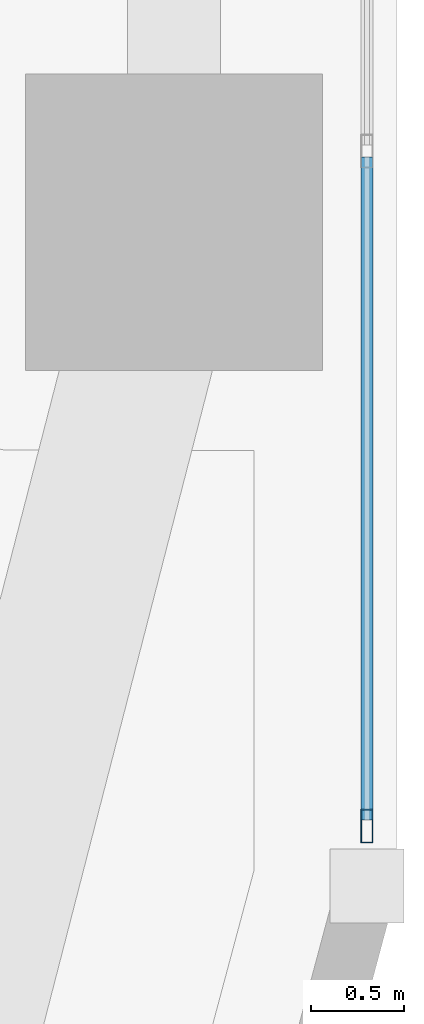
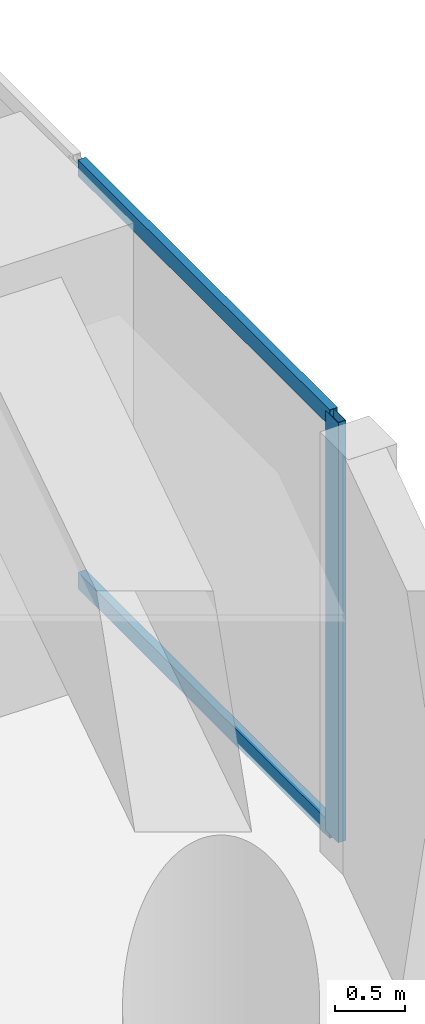
# One storey, part 4 of 29: 3 members, 1 element without a shape of its own.
"""IFC4 building model written with IfcOpenShell, lengths in metres."""

from ifc_helpers import new_model, si_unit, direction, frame, origin, origin_2d, place, context, subcontext, project, spatial, hollow_rectangle, extrude, material, layer, layer_set, material_profile, profile_set, type_object, element, aggregate, save


model = new_model("IFC4")

# Units and contexts
model_context = context("Model", 3, precision=1e-05, world=origin(), true_north=direction((0.0, 1.0)))
body_context = subcontext(model_context, "Body", "Model", "MODEL_VIEW")
ifc_project = project(units=[si_unit("LENGTHUNIT", "METRE"), si_unit("AREAUNIT", "SQUARE_METRE"), si_unit("VOLUMEUNIT", "CUBIC_METRE"), si_unit("PLANEANGLEUNIT", "RADIAN"), si_unit("MASSUNIT", "GRAM", prefix="KILO")], contexts=[model_context])

# Site, building, storey
site_placement = place(None, origin())
site = spatial("IfcSite", under=ifc_project, at=site_placement, CompositionType="ELEMENT")
building_placement = place(site_placement, origin())
building = spatial("IfcBuilding", under=site, at=building_placement, Name="Kiyonajd Concourse Tower", CompositionType="ELEMENT")
storey_placement = place(building_placement, frame((0.0, 0.0, 45.0)))
storey = spatial("IfcBuildingStorey", under=building, at=storey_placement, Name="L12", CompositionType="ELEMENT", Elevation=45.0)

# Curtain wall, members
ifc_material = material(Name="Thermally Broken Anodised Aluminium", Category="aluminium")
ifc_layer = layer(ifc_material, 0.179931640625)
ifc_layer_set = layer_set([ifc_layer], Name="Thermally Broken Anodised Aluminium")
curtain_wall_type = type_object("IfcCurtainWallType", Name="CW-SYS-02", PredefinedType="NOTDEFINED", material=ifc_layer_set)
curtain_wall_placement = place(storey_placement, origin())
curtain_wall = element("IfcCurtainWall", 1, at=curtain_wall_placement, inside=storey, type_object=curtain_wall_type, Name="L12 Unitised Curtain Wall CW2", PredefinedType="NOTDEFINED")
ifc_material_profile_1 = material_profile(ifc_material, hollow_rectangle(XDim=0.06494140625, YDim=0.179931640625, WallThickness=0.00390625, at=origin_2d()), Name="MULL-65x180")
ifc_profile_set_1 = profile_set([ifc_material_profile_1], Name="Thermally Broken Anodised Aluminium")
member_type_1 = type_object("IfcMemberType", Name="MB-CW-MULL1", PredefinedType="MULLION", material=ifc_profile_set_1)
member_1_placement = place(storey_placement, frame((79.0400390625, 15.343505859375, 0.0), z_axis=(0.0, 0.0, 1.0), x_axis=(1.0, 0.0, 0.0)))
member_1 = element("IfcMember", 2, at=member_1_placement, type_object=member_type_1, Name="CW2 mullion 7", PredefinedType="MULLION", context=body_context, shape_type="SweptSolid", body=[
    extrude(hollow_rectangle(XDim=0.06494140625, YDim=0.179931640625, WallThickness=0.00390625, at=origin_2d()), origin(), (0.0, 0.0, 1.0), 3.639892578125),
])
ifc_material_profile_2 = material_profile(ifc_material, hollow_rectangle(XDim=0.06494140625, YDim=0.139892578125, WallThickness=0.00390625, at=origin_2d()), Name="TRAN-65x140")
ifc_profile_set_2 = profile_set([ifc_material_profile_2], Name="Thermally Broken Anodised Aluminium")
member_type_2 = type_object("IfcMemberType", Name="MB-CW-TRAN1", PredefinedType="USERDEFINED", material=ifc_profile_set_2)
member_2_placement = place(storey_placement, frame((79.0400390625, 18.95166015625, 0.032470703125), z_axis=(0.0, -1.0, 0.0), x_axis=(1.0, 0.0, 0.0)))
member_2 = element("IfcMember", 3, at=member_2_placement, type_object=member_type_2, Name="CW2 transom 6.1", ObjectType="TRANSOM", PredefinedType="USERDEFINED", context=body_context, shape_type="SweptSolid", body=[
    extrude(hollow_rectangle(XDim=0.06494140625, YDim=0.139892578125, WallThickness=0.00390625, at=origin_2d()), origin(), (0.0, 0.0, 1.0), 3.575439453125),
])
member_3_placement = place(storey_placement, frame((79.0400390625, 18.95166015625, 3.607421875), z_axis=(0.0, -1.0, 0.0), x_axis=(1.0, 0.0, 0.0)))
member_3 = element("IfcMember", 4, at=member_3_placement, type_object=member_type_2, Name="CW2 transom 6.2", ObjectType="TRANSOM", PredefinedType="USERDEFINED", context=body_context, shape_type="SweptSolid", body=[
    extrude(hollow_rectangle(XDim=0.06494140625, YDim=0.139892578125, WallThickness=0.00390625, at=origin_2d()), origin(), (0.0, 0.0, 1.0), 3.575439453125),
])
aggregate(curtain_wall, [member_1, member_2, member_3])

save(model, "model.ifc")
